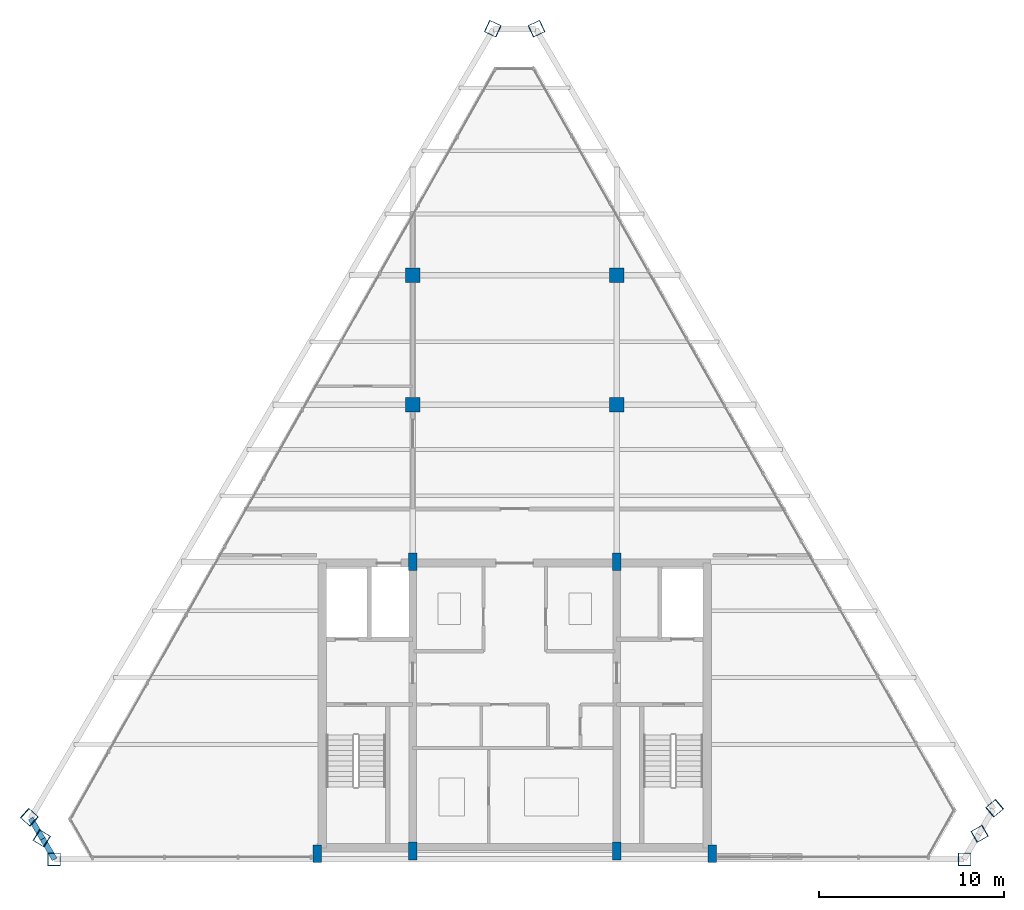
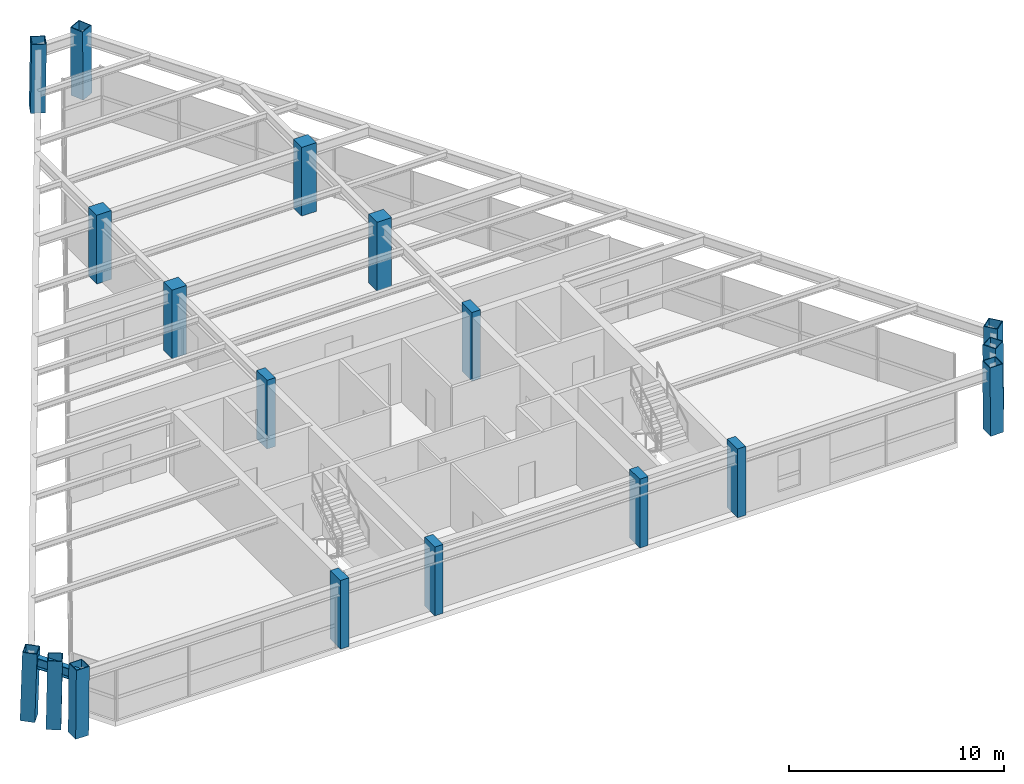
# One storey, part 1 of 12: 18 columns, 2 beams.
"""IFC4 building model written with IfcOpenShell, lengths in metres."""

from ifc_helpers import new_model, si_unit, direction, frame, origin, origin_2d, place, context, subcontext, project, spatial, rectangle, hollow_rectangle, i_section, extrude, source, transform, mapped, material, material_profile, profile_set, type_object, element, save


model = new_model("IFC4")

# Units and contexts
model_context = context("Model", 3, precision=1e-05, world=origin(), true_north=direction((0.0, 1.0)))
body_context = subcontext(model_context, "Body", "Model", "MODEL_VIEW")
ifc_project = project(units=[si_unit("LENGTHUNIT", "METRE"), si_unit("AREAUNIT", "SQUARE_METRE"), si_unit("VOLUMEUNIT", "CUBIC_METRE"), si_unit("PLANEANGLEUNIT", "RADIAN"), si_unit("MASSUNIT", "GRAM", prefix="KILO")], contexts=[model_context])

# Site, building, storey
site_placement = place(None, origin())
site = spatial("IfcSite", under=ifc_project, at=site_placement, CompositionType="ELEMENT")
building_placement = place(site_placement, origin())
building = spatial("IfcBuilding", under=site, at=building_placement, Name="Varnakhor Terracotta Tower", CompositionType="ELEMENT")
storey_placement = place(building_placement, frame((0.0, 0.0, 313.60009765625)))
storey = spatial("IfcBuildingStorey", under=building, at=storey_placement, Name="L82 Crown", CompositionType="ELEMENT", Elevation=313.60009765625)

# Columns
ifc_material_1 = material(Name="Concrete C50/60", Category="concrete")
ifc_material_profile_1 = material_profile(ifc_material_1, rectangle(XDim=0.449951171875, YDim=0.949951171875, at=origin_2d()), Name="RC PILASTER 950x450")
ifc_profile_set_1 = profile_set([ifc_material_profile_1], Name="Concrete C50/60")
column_type_1 = type_object("IfcColumnType", Name="COL-PIL-950x450", PredefinedType="PILASTER", material=ifc_profile_set_1)
shared_shape_1 = source(origin(), body_context, "Body", "SweptSolid", [
    extrude(rectangle(XDim=0.449951171875, YDim=0.949951171875, at=origin_2d()), origin(), (0.0, 0.0, 1.0), 3.89990234375),
])
for number, where, z_axis, x_axis, name in (
    (1, (-10.64990234375, 0.300048828125, 0.0), (0.0, 0.0, 1.0), (1.0, 0.0, 0.0), "L82 Crown Core Pilaster CP1"),
    (2, (-5.5, 0.449951171875, 0.0), (0.0, 0.0, 1.0), (1.0, 0.0, 0.0), "L82 Crown Core Pilaster CP2"),
    (3, (5.5, 0.449951171875, 0.0), (0.0, 0.0, 1.0), (1.0, 0.0, 0.0), "L82 Crown Core Pilaster CP3"),
    (4, (10.64990234375, 0.300048828125, 0.0), (0.0, 0.0, 1.0), (1.0, 0.0, 0.0), "L82 Crown Core Pilaster CP4"),
    (5, (-5.5, 16.050048828125, 0.0), (0.0, 0.0, 1.0), (1.0, 0.0, 0.0), "L82 Crown Core Pilaster CP5"),
    (6, (5.5, 16.050048828125, 0.0), (0.0, 0.0, 1.0), (1.0, 0.0, 0.0), "L82 Crown Core Pilaster CP6"),
):
    element("IfcColumn", number, at=place(storey_placement, frame(where, z_axis=z_axis, x_axis=x_axis)), inside=storey, type_object=column_type_1, Name=name, PredefinedType="PILASTER", context=body_context, shape_type="MappedRepresentation", body=[
        mapped(shared_shape_1, transform((0.0, 0.0, 0.0), scale=1.0)),
    ])
ifc_material_2 = material(Name="Steel S355", Category="steel")
ifc_material_profile_2 = material_profile(ifc_material_2, hollow_rectangle(XDim=0.699951171875, YDim=0.699951171875, WallThickness=0.035888671875, at=origin_2d()), Name="BOX 700x700x36")
ifc_profile_set_2 = profile_set([ifc_material_profile_2], Name="Steel S355")
column_type_2 = type_object("IfcColumnType", Name="COL-MEGA-700", PredefinedType="COLUMN", material=ifc_profile_set_2)
shared_shape_2 = source(origin(), body_context, "Body", "SweptSolid", [
    extrude(hollow_rectangle(XDim=0.699951171875, YDim=0.699951171875, WallThickness=0.035888671875, at=origin_2d()), origin(), (0.0, 0.0, 1.0), 3.891357421875),
])
for number, where, z_axis, x_axis, name in (
    (7, (-24.83349609375, 0.0, 0.00439453125), (0.009473787396, 0.0, 0.999955122669), (0.0, 1.0, 0.0), "L82 Crown Perimeter Mega-Column M1"),
    (8, (24.260986328125, 0.0, 0.00439453125), (-0.010101128507, 0.0, 0.9999489823), (0.0, -1.0, 0.0), "L82 Crown Perimeter Mega-Column M2"),
):
    element("IfcColumn", number, at=place(storey_placement, frame(where, z_axis=z_axis, x_axis=x_axis)), inside=storey, type_object=column_type_2, Name=name, PredefinedType="COLUMN", context=body_context, shape_type="MappedRepresentation", body=[
        mapped(shared_shape_2, transform((0.0, 0.0, 0.0), scale=1.0)),
    ])
shared_shape_3 = source(origin(), body_context, "Body", "SweptSolid", [
    extrude(hollow_rectangle(XDim=0.699951171875, YDim=0.699951171875, WallThickness=0.035888671875, at=origin_2d()), origin(), (0.0, 0.0, 1.0), 3.891845703125),
])
for number, where, z_axis, x_axis, name in (
    (9, (25.074462890625, 1.3837890625, 0.00439453125), (-0.015934072257, -0.009096222352, 0.999831667872), (0.495770682094, -0.868453470703, 0.0), "L82 Crown Perimeter Mega-Column M3"),
    (10, (-25.50390625, 1.140380859375, 0.00439453125), (0.015494997059, -0.009472650024, 0.999835073383), (0.521589724392, 0.853196436589, 0.0), "L82 Crown Perimeter Mega-Column M8"),
):
    element("IfcColumn", number, at=place(storey_placement, frame(where, z_axis=z_axis, x_axis=x_axis)), inside=storey, type_object=column_type_2, Name=name, PredefinedType="COLUMN", context=body_context, shape_type="MappedRepresentation", body=[
        mapped(shared_shape_3, transform((0.0, 0.0, 0.0), scale=1.0)),
    ])
shared_shape_4 = source(origin(), body_context, "Body", "SweptSolid", [
    extrude(hollow_rectangle(XDim=0.699951171875, YDim=0.699951171875, WallThickness=0.035888671875, at=origin_2d()), origin(), (0.0, 0.0, 1.0), 3.892578125),
])
column_1_placement = place(storey_placement, frame((25.887939453125, 2.767822265625, 0.00439453125), z_axis=(-0.021763131889, -0.018125490248, 0.99959883588), x_axis=(0.639966562408, -0.768402758324, 0.0)))
element("IfcColumn", 11, at=column_1_placement, inside=storey, type_object=column_type_2, Name="L82 Crown Perimeter Mega-Column M4", PredefinedType="COLUMN", context=body_context, shape_type="MappedRepresentation", body=[
    mapped(shared_shape_4, transform((0.0, 0.0, 0.0), scale=1.0)),
])
shared_shape_5 = source(origin(), body_context, "Body", "SweptSolid", [
    extrude(hollow_rectangle(XDim=0.699951171875, YDim=0.699951171875, WallThickness=0.035888671875, at=origin_2d()), origin(), (0.0, 0.0, 1.0), 3.8916015625),
])
for number, where, z_axis, x_axis, name in (
    (12, (1.1865234375, 44.78759765625, 0.00439453125), (-0.012798327541, -0.005897268573, 0.999900707588), (0.418493445178, -0.908219817194, 0.0), "L82 Crown Perimeter Mega-Column M5"),
    (13, (-1.1865234375, 44.78759765625, 0.00439453125), (0.012798327541, -0.005897268573, 0.999900707588), (0.418493445178, 0.908219817194, 0.0), "L82 Crown Perimeter Mega-Column M6"),
):
    element("IfcColumn", number, at=place(storey_placement, frame(where, z_axis=z_axis, x_axis=x_axis)), inside=storey, type_object=column_type_2, Name=name, PredefinedType="COLUMN", context=body_context, shape_type="MappedRepresentation", body=[
        mapped(shared_shape_5, transform((0.0, 0.0, 0.0), scale=1.0)),
    ])
shared_shape_6 = source(origin(), body_context, "Body", "SweptSolid", [
    extrude(hollow_rectangle(XDim=0.699951171875, YDim=0.699951171875, WallThickness=0.035888671875, at=origin_2d()), origin(), (0.0, 0.0, 1.0), 3.892822265625),
])
column_2_placement = place(storey_placement, frame((-26.17431640625, 2.28076171875, 0.00439453125), z_axis=(0.021449337787, -0.019003360671, 0.999589314765), x_axis=(0.663140362782, 0.748495062942, 0.0)))
element("IfcColumn", 14, at=column_2_placement, inside=storey, type_object=column_type_2, Name="L82 Crown Perimeter Mega-Column M7", PredefinedType="COLUMN", context=body_context, shape_type="MappedRepresentation", body=[
    mapped(shared_shape_6, transform((0.0, 0.0, 0.0), scale=1.0)),
])
ifc_material_profile_3 = material_profile(ifc_material_1, rectangle(XDim=0.780029296875, YDim=0.780029296875, at=origin_2d()), Name="RC 780x780")
ifc_profile_set_3 = profile_set([ifc_material_profile_3], Name="Concrete C50/60")
column_type_3 = type_object("IfcColumnType", Name="COL-RC-780", PredefinedType="COLUMN", material=ifc_profile_set_3)
shared_shape_7 = source(origin(), body_context, "Body", "SweptSolid", [
    extrude(rectangle(XDim=0.780029296875, YDim=0.780029296875, at=origin_2d()), origin(), (0.0, 0.0, 1.0), 3.89990234375),
])
for number, where, z_axis, x_axis, name in (
    (15, (-5.5, 24.5, 0.0), (0.0, 0.0, 1.0), (1.0, 0.0, 0.0), "L82 Crown Interior Tower Column IC1"),
    (16, (5.5, 24.5, 0.0), (0.0, 0.0, 1.0), (1.0, 0.0, 0.0), "L82 Crown Interior Tower Column IC2"),
    (17, (-5.5, 31.5, 0.0), (0.0, 0.0, 1.0), (1.0, 0.0, 0.0), "L82 Crown Interior Tower Column IC3"),
    (18, (5.5, 31.5, 0.0), (0.0, 0.0, 1.0), (1.0, 0.0, 0.0), "L82 Crown Interior Tower Column IC4"),
):
    element("IfcColumn", number, at=place(storey_placement, frame(where, z_axis=z_axis, x_axis=x_axis)), inside=storey, type_object=column_type_3, Name=name, PredefinedType="COLUMN", context=body_context, shape_type="MappedRepresentation", body=[
        mapped(shared_shape_7, transform((0.0, 0.0, 0.0), scale=1.0)),
    ])

# Beams
ifc_material_profile_4 = material_profile(ifc_material_2, i_section(OverallWidth=0.300048828125, OverallDepth=0.60009765625, WebThickness=0.015380859375, FlangeThickness=0.030029296875, FilletRadius=0.01806640625, at=origin_2d()), Name="HEB600")
ifc_profile_set_4 = profile_set([ifc_material_profile_4], Name="Steel S355")
beam_type = type_object("IfcBeamType", Name="BM-HEB600", PredefinedType="BEAM", material=ifc_profile_set_4)
shared_shape_8 = source(origin(), body_context, "Body", "SweptSolid", [
    extrude(i_section(OverallWidth=0.300048828125, OverallDepth=0.60009765625, WebThickness=0.015380859375, FlangeThickness=0.030029296875, FilletRadius=0.01806640625, at=origin_2d()), origin(), (0.0, 0.0, 1.0), 1.279052734375),
])
beam_1_placement = place(storey_placement, frame((-26.090576171875, 2.206787109375, 3.2998046875), z_axis=(0.505851763573, -0.862620422486, 0.0), x_axis=(0.862620422486, 0.505851763573, 0.0)))
element("IfcBeam", 19, at=beam_1_placement, inside=storey, type_object=beam_type, Name="L82 Crown Perimeter Spandrel 7", PredefinedType="BEAM", context=body_context, shape_type="MappedRepresentation", body=[
    mapped(shared_shape_8, transform((0.0, 0.0, 0.0), scale=1.0)),
])
shared_shape_9 = source(origin(), body_context, "Body", "SweptSolid", [
    extrude(i_section(OverallWidth=0.300048828125, OverallDepth=0.60009765625, WebThickness=0.015380859375, FlangeThickness=0.030029296875, FilletRadius=0.01806640625, at=origin_2d()), origin(), (0.0, 0.0, 1.0), 1.279296875),
])
beam_2_placement = place(storey_placement, frame((-25.443603515625, 1.103515625, 3.2998046875), z_axis=(0.505768479648, -0.862669255853, 0.0), x_axis=(0.862669255853, 0.505768479648, 0.0)))
element("IfcBeam", 20, at=beam_2_placement, inside=storey, type_object=beam_type, Name="L82 Crown Perimeter Spandrel 8", PredefinedType="BEAM", context=body_context, shape_type="MappedRepresentation", body=[
    mapped(shared_shape_9, transform((0.0, 0.0, 0.0), scale=1.0)),
])

save(model, "model.ifc")
